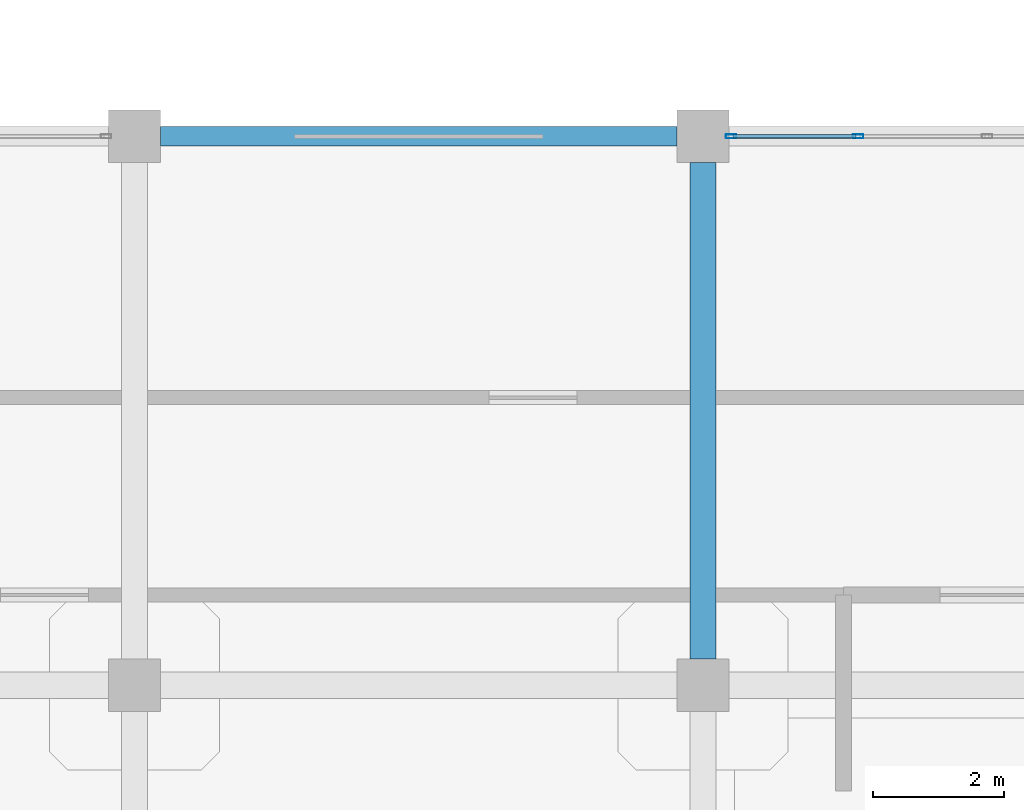
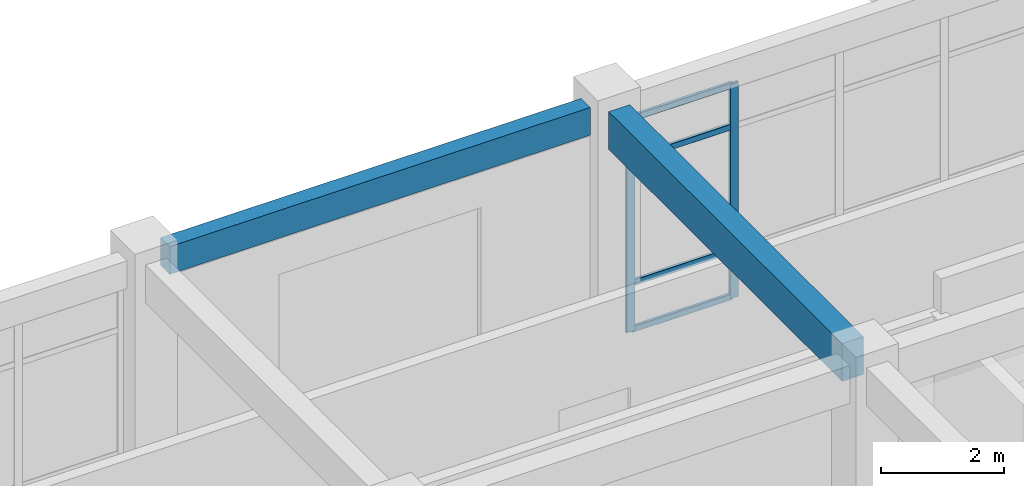
# One storey, part 19 of 96: 6 members, 2 beams, 1 element without a shape of its own.
"""IFC4 building model written with IfcOpenShell, lengths in metres."""

from ifc_helpers import new_model, si_unit, derived_unit, direction, frame, origin, origin_2d, place, context, subcontext, project, spatial, rectangle, hollow_rectangle, extrude, material, layer, layer_set, material_profile, profile_set, type_object, element, aggregate, save


model = new_model("IFC4")

# Units and contexts
model_context = context("Model", 3, precision=1e-05, world=origin(), true_north=direction((0.0, 1.0)))
body_context = subcontext(model_context, "Body", "Model", "MODEL_VIEW")
ifc_project = project(units=[si_unit("LENGTHUNIT", "METRE"), si_unit("AREAUNIT", "SQUARE_METRE"), si_unit("VOLUMEUNIT", "CUBIC_METRE"), si_unit("PLANEANGLEUNIT", "RADIAN"), si_unit("MASSUNIT", "GRAM", prefix="KILO"), derived_unit("THERMALTRANSMITTANCEUNIT", [(si_unit("MASSUNIT", "GRAM", prefix="KILO"), 1), (si_unit("TIMEUNIT", "SECOND"), -3), (si_unit("THERMODYNAMICTEMPERATUREUNIT", "KELVIN"), -1)])], contexts=[model_context])

# Site, building, storey
site_placement = place(None, origin())
site = spatial("IfcSite", under=ifc_project, at=site_placement, CompositionType="ELEMENT")
building_placement = place(site_placement, origin())
building = spatial("IfcBuilding", under=site, at=building_placement, Name="Qinzheling Arcade Emporium", CompositionType="ELEMENT")
storey_placement = place(building_placement, frame((0.0, 0.0, 21.60009765625)))
storey = spatial("IfcBuildingStorey", under=building, at=storey_placement, Name="L05", CompositionType="ELEMENT", Elevation=21.60009765625)

# Curtain wall, members
ifc_material_1 = material(Name="Anodised aluminium and solar-control double glazing", Category="aluminium")
ifc_layer = layer(ifc_material_1, 0.159912109375, Name="Anodised aluminium and solar-control double glazing", Category="aluminium")
ifc_layer_set = layer_set([ifc_layer], Name="Anodised aluminium and solar-control double glazing")
curtain_wall_type = type_object("IfcCurtainWallType", Name="Atrium Clerestory Curtain Wall", PredefinedType="NOTDEFINED", material=ifc_layer_set)
curtain_wall_placement = place(storey_placement, origin())
curtain_wall = element("IfcCurtainWall", 1, at=curtain_wall_placement, inside=storey, type_object=curtain_wall_type, Name="Curtain Wall CW-L05-315", PredefinedType="NOTDEFINED")
ifc_material_2 = material(Name="Anodised aluminium 6063-T6", Category="aluminium")
ifc_material_profile_1 = material_profile(ifc_material_2, hollow_rectangle(XDim=0.06005859375, YDim=0.159912109375, WallThickness=0.00390625, InnerFilletRadius=0.00390625, OuterFilletRadius=0.008056640625, at=origin_2d()), Name="RHS 160x60x4", Category="aluminium")
ifc_profile_set_1 = profile_set([ifc_material_profile_1], Name="Anodised aluminium 6063-T6")
member_type_1 = type_object("IfcMemberType", Name="Curtain Wall Mullion RHS160x60", PredefinedType="MULLION", material=ifc_profile_set_1)
member_1_placement = place(storey_placement, frame((26.531982421875, 42.0, 0.0), z_axis=(0.0, 0.0, 1.0), x_axis=(0.0, 1.0, 0.0)))
member_1 = element("IfcMember", 2, at=member_1_placement, type_object=member_type_1, Name="CW03 mullion 1", PredefinedType="MULLION", context=body_context, shape_type="SweptSolid", body=[
    extrude(hollow_rectangle(XDim=0.06005859375, YDim=0.159912109375, WallThickness=0.00390625, InnerFilletRadius=0.00390625, OuterFilletRadius=0.008056640625, at=origin_2d()), origin(), (0.0, 0.0, 1.0), 4.2548828125),
])
member_2_placement = place(storey_placement, frame((28.47607421875, 42.0, 0.0), z_axis=(0.0, 0.0, 1.0), x_axis=(0.0, 1.0, 0.0)))
member_2 = element("IfcMember", 3, at=member_2_placement, type_object=member_type_1, Name="CW03 mullion 2", PredefinedType="MULLION", context=body_context, shape_type="SweptSolid", body=[
    extrude(hollow_rectangle(XDim=0.06005859375, YDim=0.159912109375, WallThickness=0.00390625, InnerFilletRadius=0.00390625, OuterFilletRadius=0.008056640625, at=origin_2d()), origin(), (0.0, 0.0, 1.0), 4.2548828125),
])
ifc_material_profile_2 = material_profile(ifc_material_2, hollow_rectangle(XDim=0.06005859375, YDim=0.1201171875, WallThickness=0.00390625, InnerFilletRadius=0.00390625, OuterFilletRadius=0.008056640625, at=origin_2d()), Name="RHS 120x60x4", Category="aluminium")
ifc_profile_set_2 = profile_set([ifc_material_profile_2], Name="Anodised aluminium 6063-T6")
member_type_2 = type_object("IfcMemberType", Name="Curtain Wall Transom RHS120x60", PredefinedType="USERDEFINED", material=ifc_profile_set_2)
member_3_placement = place(storey_placement, frame((26.56201171875, 42.0, 0.02978515625), z_axis=(1.0, 0.0, 0.0), x_axis=(0.0, 1.0, 0.0)))
member_3 = element("IfcMember", 4, at=member_3_placement, type_object=member_type_2, Name="CW03 transom 1.1", ObjectType="TRANSOM", PredefinedType="USERDEFINED", context=body_context, shape_type="SweptSolid", body=[
    extrude(hollow_rectangle(XDim=0.06005859375, YDim=0.1201171875, WallThickness=0.00390625, InnerFilletRadius=0.00390625, OuterFilletRadius=0.008056640625, at=origin_2d()), origin(), (0.0, 0.0, 1.0), 1.884033203125),
])
member_4_placement = place(storey_placement, frame((26.56201171875, 42.0, 0.949951171875), z_axis=(1.0, 0.0, 0.0), x_axis=(0.0, 1.0, 0.0)))
member_4 = element("IfcMember", 5, at=member_4_placement, type_object=member_type_2, Name="CW03 transom 1.2", ObjectType="TRANSOM", PredefinedType="USERDEFINED", context=body_context, shape_type="SweptSolid", body=[
    extrude(hollow_rectangle(XDim=0.06005859375, YDim=0.1201171875, WallThickness=0.00390625, InnerFilletRadius=0.00390625, OuterFilletRadius=0.008056640625, at=origin_2d()), origin(), (0.0, 0.0, 1.0), 1.884033203125),
])
member_5_placement = place(storey_placement, frame((26.56201171875, 42.0, 3.40478515625), z_axis=(1.0, 0.0, 0.0), x_axis=(0.0, 1.0, 0.0)))
member_5 = element("IfcMember", 6, at=member_5_placement, type_object=member_type_2, Name="CW03 transom 1.3", ObjectType="TRANSOM", PredefinedType="USERDEFINED", context=body_context, shape_type="SweptSolid", body=[
    extrude(hollow_rectangle(XDim=0.06005859375, YDim=0.1201171875, WallThickness=0.00390625, InnerFilletRadius=0.00390625, OuterFilletRadius=0.008056640625, at=origin_2d()), origin(), (0.0, 0.0, 1.0), 1.884033203125),
])
member_6_placement = place(storey_placement, frame((26.56201171875, 42.0, 4.224853515625), z_axis=(1.0, 0.0, 0.0), x_axis=(0.0, 1.0, 0.0)))
member_6 = element("IfcMember", 7, at=member_6_placement, type_object=member_type_2, Name="CW03 transom 1.4", ObjectType="TRANSOM", PredefinedType="USERDEFINED", context=body_context, shape_type="SweptSolid", body=[
    extrude(hollow_rectangle(XDim=0.06005859375, YDim=0.1201171875, WallThickness=0.00390625, InnerFilletRadius=0.00390625, OuterFilletRadius=0.008056640625, at=origin_2d()), origin(), (0.0, 0.0, 1.0), 1.884033203125),
])
aggregate(curtain_wall, [member_1, member_2, member_3, member_4, member_5, member_6])

# Beams
ifc_material_3 = material(Name="Concrete C40", Category="concrete")
ifc_material_profile_3 = material_profile(ifc_material_3, rectangle(XDim=0.39990234375, YDim=0.75, at=origin_2d()), Name="RC 400x750", Category="concrete")
ifc_profile_set_3 = profile_set([ifc_material_profile_3], Name="Concrete C40")
beam_type_1 = type_object("IfcBeamType", Name="RC Interior Tie Beam 400x750 C40", PredefinedType="BEAM", material=ifc_profile_set_3)
beam_1_placement = place(storey_placement, frame((26.10009765625, 34.0, 4.44482421875), z_axis=(0.0, 1.0, 0.0), x_axis=(-1.0, 0.0, 0.0)))
element("IfcBeam", 8, at=beam_1_placement, inside=storey, type_object=beam_type_1, Name="Beam BM-L05-Y-4-E", PredefinedType="BEAM", context=body_context, shape_type="SweptSolid", body=[
    extrude(rectangle(XDim=0.39990234375, YDim=0.75, at=origin_2d()), origin(), (0.0, 0.0, 1.0), 7.60009765625),
])
ifc_material_profile_4 = material_profile(ifc_material_3, rectangle(XDim=0.300048828125, YDim=0.550048828125, at=origin_2d()), Name="RC 300x550", Category="concrete")
ifc_profile_set_4 = profile_set([ifc_material_profile_4], Name="Concrete C40")
beam_type_2 = type_object("IfcBeamType", Name="RC Terrace Spandrel Beam 300x550 C40", PredefinedType="SPANDREL", material=ifc_profile_set_4)
beam_2_placement = place(storey_placement, frame((17.800048828125, 42.0, 4.544921875), z_axis=(1.0, 0.0, 0.0), x_axis=(0.0, 1.0, 0.0)))
element("IfcBeam", 9, at=beam_2_placement, inside=storey, type_object=beam_type_2, Name="Beam BM-L05-X-F-3", PredefinedType="SPANDREL", context=body_context, shape_type="SweptSolid", body=[
    extrude(rectangle(XDim=0.300048828125, YDim=0.550048828125, at=origin_2d()), origin(), (0.0, 0.0, 1.0), 7.89990234375),
])

save(model, "model.ifc")
